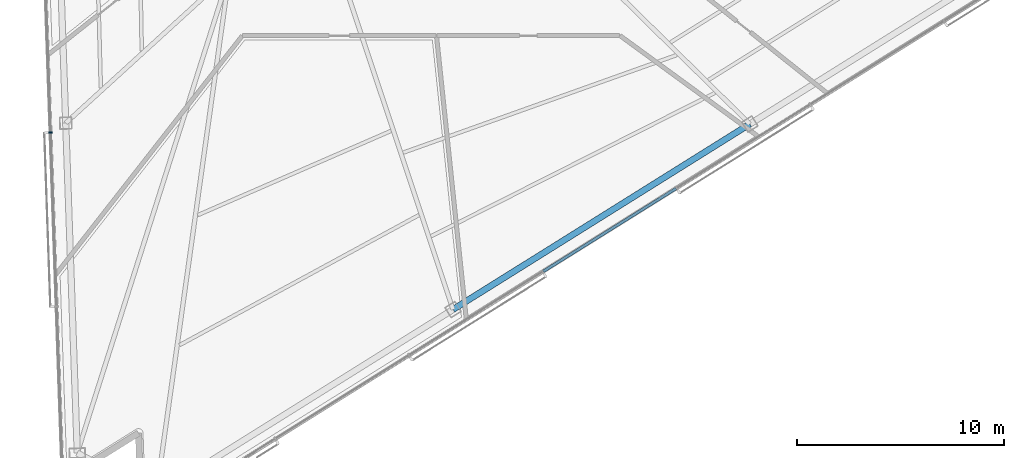
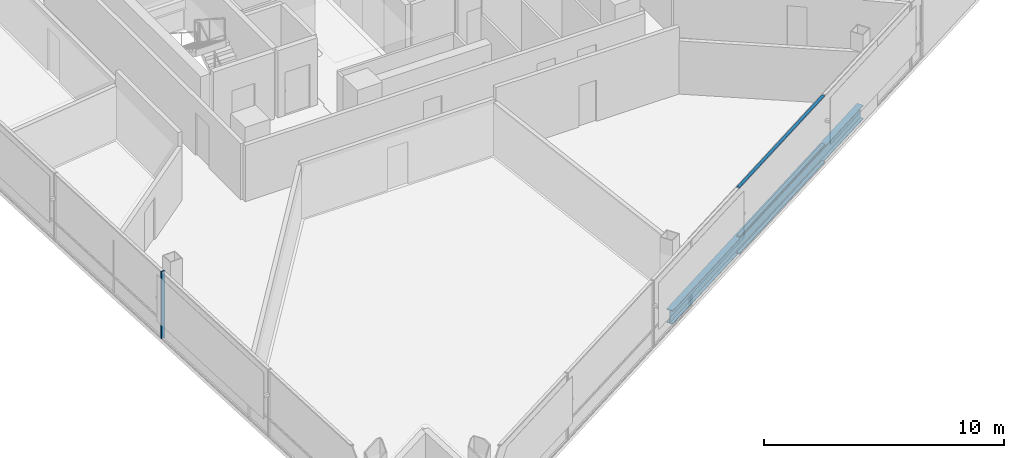
# One storey, part 3 of 20: 4 members, 1 beam, 2 elements without a shape of their own.
"""IFC4 building model written with IfcOpenShell, lengths in metres."""

import ifcopenshell
import ifcopenshell.guid

model = None  # the IFC model being written
_history = None  # IfcOwnerHistory: only IFC2X3 demands one
_inside = {}  # id of a spatial element -> (the spatial element, [elements in it])
_under = {}  # id of a project, library or spatial element -> (it, [spatial elements below it])
_declared = {}  # id of a project -> (the project, [libraries it declares])
_typed = {}  # id of a type object -> (the type object, [elements of that type])
_made_of = {}  # id of a material, layer set ... -> (it, [elements and type objects made of it])


def new_model(schema):
    """Start an empty IFC model of exactly this schema.

    Asked for "IFC4X3", IfcOpenShell would pick the latest addendum, in which some entities
    have other attributes; the version numbers below select the first issue.
    IFC2X3 requires an IfcOwnerHistory on every rooted entity: one is made here for all.
    """
    global model, _history
    if schema == "IFC4X3":
        model = ifcopenshell.file(schema_version=(4, 3, 0, 0))
    else:
        model = ifcopenshell.file(schema=schema)
    _inside.clear()
    _under.clear()
    _declared.clear()
    _typed.clear()
    _made_of.clear()
    _history = None
    if model.schema == "IFC2X3":
        org = make("IfcOrganization", Name="unknown")
        user = make(
            "IfcPersonAndOrganization",
            ThePerson=make("IfcPerson", FamilyName="unknown"),
            TheOrganization=org,
        )
        app = make(
            "IfcApplication",
            ApplicationDeveloper=org,
            Version="unknown",
            ApplicationFullName="unknown",
            ApplicationIdentifier="unknown",
        )
        _history = make(
            "IfcOwnerHistory",
            OwningUser=user,
            OwningApplication=app,
            ChangeAction="ADDED",
            CreationDate=0,
        )
    return model


def make(cls, **values):
    """One entity of the class cls with the attributes given. An attribute that is None is left unset."""
    return model.create_entity(
        cls, **{name: value for name, value in values.items() if value is not None}
    )


def rooted(cls, **values):
    """An entity with a GlobalId (a new one), such as an element, a storey or a relation."""
    return make(cls, GlobalId=ifcopenshell.guid.new(), OwnerHistory=_history, **values)


def si_unit(unit_type, name, prefix=None):
    """IfcSIUnit, for example si_unit("LENGTHUNIT", "METRE", prefix="MILLI")."""
    return make("IfcSIUnit", UnitType=unit_type, Prefix=prefix, Name=name)


def assignment(units):
    """IfcUnitAssignment: the units of a project."""
    return None if units is None else make("IfcUnitAssignment", Units=units)


def point(xyz):
    """IfcCartesianPoint."""
    return None if xyz is None else make("IfcCartesianPoint", Coordinates=xyz)


def direction(xyz):
    """IfcDirection."""
    return None if xyz is None else make("IfcDirection", DirectionRatios=xyz)


def frame(location, z_axis=None, x_axis=None):
    """IfcAxis2Placement3D, a coordinate frame: its origin and axes. An axis left out is left unset."""
    return make(
        "IfcAxis2Placement3D",
        Location=point(location),
        Axis=direction(z_axis),
        RefDirection=direction(x_axis),
    )


def frame_2d(location, x_axis=None):
    """IfcAxis2Placement2D, a coordinate frame in the plane: its origin and x axis."""
    return make(
        "IfcAxis2Placement2D", Location=point(location), RefDirection=direction(x_axis)
    )


def origin():
    """The frame at (0, 0, 0) with its axes left unset."""
    return frame((0.0, 0.0, 0.0))


def origin_2d():
    """The frame at (0, 0) in the plane with its x axis left unset."""
    return frame_2d((0.0, 0.0))


def place(relative_to, where):
    """IfcLocalPlacement: puts the frame where relative to a parent placement (None: the world)."""
    return make(
        "IfcLocalPlacement", PlacementRelTo=relative_to, RelativePlacement=where
    )


def context(
    kind, dimensions, precision=None, world=None, true_north=None, identifier=None
):
    """IfcGeometricRepresentationContext, for example the 3D "Model" context."""
    return make(
        "IfcGeometricRepresentationContext",
        ContextIdentifier=identifier,
        ContextType=kind,
        CoordinateSpaceDimension=dimensions,
        Precision=precision,
        WorldCoordinateSystem=world,
        TrueNorth=true_north,
    )


def subcontext(parent, identifier, kind, view, scale=None):
    """IfcGeometricRepresentationSubContext, for example "Body" below "Model"."""
    return make(
        "IfcGeometricRepresentationSubContext",
        ContextIdentifier=identifier,
        ContextType=kind,
        ParentContext=parent,
        TargetScale=scale,
        TargetView=view,
    )


def project(units=None, contexts=None):
    """IfcProject with its units and contexts."""
    return rooted(
        "IfcProject",
        Name="project",
        RepresentationContexts=contexts,
        UnitsInContext=assignment(units),
    )


def spatial(cls, under=None, at=None, **own):
    """A site, building, storey or space (cls), placed at a placement, below another one or the project."""
    s = rooted(cls, ObjectPlacement=at, **own)
    if under is not None:
        _under.setdefault(under.id(), (under, []))[1].append(s)
    return s


def profile(cls, at=None, kind="AREA", **sizes):
    """A parametric profile (cls). Its sizes go by their IFC names, for example OverallWidth=200.0."""
    return make(cls, ProfileType=kind, Position=at, **sizes)


def rectangle(**sizes):
    """IfcRectangleProfileDef."""
    return profile("IfcRectangleProfileDef", **sizes)


def i_section(**sizes):
    """IfcIShapeProfileDef."""
    return profile("IfcIShapeProfileDef", **sizes)


def extrude(swept, where, along, depth):
    """IfcExtrudedAreaSolid: the profile swept, set in the frame where, extruded along a direction by depth."""
    return make(
        "IfcExtrudedAreaSolid",
        SweptArea=swept,
        Position=where,
        ExtrudedDirection=direction(along),
        Depth=depth,
    )


def shape(context_of_items, identifier, shape_type, items):
    """IfcShapeRepresentation: the items that make up one representation, for example the "Body"."""
    return make(
        "IfcShapeRepresentation",
        ContextOfItems=context_of_items,
        RepresentationIdentifier=identifier,
        RepresentationType=shape_type,
        Items=items,
    )


def material(Name=None, Category=None):
    """IfcMaterial."""
    return make("IfcMaterial", Name=Name, Category=Category)


def layer(
    of_material, thickness, ventilated=None, Name=None, Category=None, Priority=None
):
    """IfcMaterialLayer: one layer of a wall or slab, of a material (None: an air gap)."""
    return make(
        "IfcMaterialLayer",
        Material=of_material,
        LayerThickness=thickness,
        IsVentilated=ventilated,
        Name=Name,
        Category=Category,
        Priority=Priority,
    )


def layer_set(layers, Name=None):
    """IfcMaterialLayerSet."""
    return make("IfcMaterialLayerSet", MaterialLayers=layers, LayerSetName=Name)


def material_profile(
    of_material, cross_section, Name=None, Category=None, Priority=None
):
    """IfcMaterialProfile: a cross section and its material."""
    return make(
        "IfcMaterialProfile",
        Name=Name,
        Material=of_material,
        Profile=cross_section,
        Priority=Priority,
        Category=Category,
    )


def profile_set(profiles, Name=None, composite=None):
    """IfcMaterialProfileSet."""
    return make(
        "IfcMaterialProfileSet",
        Name=Name,
        MaterialProfiles=profiles,
        CompositeProfile=composite,
    )


def made_of(thing, what):
    """Note that an element or type object is made of a material, layer set ...; save() writes the relation."""
    if what is not None:
        _made_of.setdefault(what.id(), (what, []))[1].append(thing)
    return thing


def type_object(cls, material=None, **own):
    """A type object (cls), such as IfcWallType, which elements share."""
    return made_of(rooted(cls, **own), material)


def element(
    cls,
    number,
    at=None,
    inside=None,
    cuts=None,
    type_object=None,
    material=None,
    context=None,
    identifier="Body",
    shape_type=None,
    held_by="IfcProductDefinitionShape",
    body=None,
    shapes=None,
    **own,
):
    """One element of the class cls, such as IfcWall. Its Tag is "e" and its number.

    at: its placement. inside: the storey or other place that contains it. cuts: it is an
    opening in that element (IfcRelVoidsElement). A single representation is given by context,
    identifier, shape_type and body (its items); several are given by shapes. held_by: the class
    of the entity that holds the representations. save() writes the other relations.
    """
    e = rooted(cls, Tag="e%d" % number, ObjectPlacement=at, **own)
    if body is not None:
        shapes = [shape(context, identifier, shape_type, body)]
    if shapes is not None:
        e.Representation = make(held_by, Representations=shapes)
    if inside is not None:
        _inside.setdefault(inside.id(), (inside, []))[1].append(e)
    if cuts is not None:
        rooted(
            "IfcRelVoidsElement", RelatingBuildingElement=cuts, RelatedOpeningElement=e
        )
    if type_object is not None:
        _typed.setdefault(type_object.id(), (type_object, []))[1].append(e)
    return made_of(e, material)


def aggregate(whole, parts):
    """IfcRelAggregates: a whole, such as a stair, and the parts it consists of."""
    return rooted("IfcRelAggregates", RelatingObject=whole, RelatedObjects=parts)


def save(model, path):
    """Write the relations noted so far, then the file.

    IfcRelAggregates (storeys below a building ...), IfcRelContainedInSpatialStructure (elements
    in a storey), IfcRelDefinesByType, IfcRelAssociatesMaterial and IfcRelDeclares: one each for
    every whole, place, type object, material and project.
    """
    for whole, parts in _under.values():
        aggregate(whole, parts)
    for where, things in _inside.values():
        rooted(
            "IfcRelContainedInSpatialStructure",
            RelatedElements=things,
            RelatingStructure=where,
        )
    for kind, things in _typed.values():
        rooted("IfcRelDefinesByType", RelatedObjects=things, RelatingType=kind)
    for what, things in _made_of.values():
        rooted("IfcRelAssociatesMaterial", RelatedObjects=things, RelatingMaterial=what)
    for by, libraries in _declared.values():
        rooted("IfcRelDeclares", RelatingContext=by, RelatedDefinitions=libraries)
    model.write(path)


model = new_model("IFC4")

# Units and contexts
model_context = context("Model", 3, precision=1e-05, world=origin(), true_north=direction((0.0, 1.0)))
body_context = subcontext(model_context, "Body", "Model", "MODEL_VIEW")
ifc_project = project(units=[si_unit("LENGTHUNIT", "METRE"), si_unit("AREAUNIT", "SQUARE_METRE"), si_unit("VOLUMEUNIT", "CUBIC_METRE"), si_unit("PLANEANGLEUNIT", "RADIAN"), si_unit("MASSUNIT", "GRAM", prefix="KILO")], contexts=[model_context])

# Site, building, storey
site_placement = place(None, origin())
site = spatial("IfcSite", under=ifc_project, at=site_placement, CompositionType="ELEMENT")
building_placement = place(site_placement, origin())
building = spatial("IfcBuilding", under=site, at=building_placement, Name="Tharavind Bronze Gate", CompositionType="ELEMENT")
storey_placement = place(building_placement, frame((0.0, 0.0, 146.0)))
storey = spatial("IfcBuildingStorey", under=building, at=storey_placement, Name="L37", CompositionType="ELEMENT", Elevation=146.0)

# Curtain wall, member
ifc_material_1 = material(Name="Anodised Bronze Aluminium", Category="aluminium")
ifc_layer = layer(ifc_material_1, 0.219970703125)
ifc_layer_set = layer_set([ifc_layer], Name="Anodised Bronze Aluminium")
curtain_wall_type = type_object("IfcCurtainWallType", Name="UNITISED CURTAIN WALL MID OFFICE", PredefinedType="USERDEFINED", material=ifc_layer_set)
curtain_wall_1_placement = place(storey_placement, origin())
curtain_wall_1 = element("IfcCurtainWall", 1, at=curtain_wall_1_placement, inside=storey, type_object=curtain_wall_type, Name="L37 unitised curtain wall mid office CW-L37-S1", ObjectType="UNITISED CURTAIN WALL", PredefinedType="USERDEFINED")
member_type_1 = type_object("IfcMemberType", Name="CURTAIN WALL BRONZE MULLION 65X180", PredefinedType="MULLION", material=ifc_material_1)
member_1_placement = place(storey_placement, frame((-17.545166015625, -15.273193359375, 0.0), z_axis=(0.0, 0.0, 1.0), x_axis=(0.034899496703, -0.999390827019, 0.0)))
member_1 = element("IfcMember", 2, at=member_1_placement, type_object=member_type_1, Name="CW-L37-S1 mullion 5", PredefinedType="MULLION", context=body_context, shape_type="SweptSolid", body=[
    extrude(rectangle(XDim=0.06494140625, YDim=0.179931640625, at=origin_2d()), origin(), (0.0, 0.0, 1.0), 3.409912109375),
])
aggregate(curtain_wall_1, [member_1])

# Curtain wall, members
curtain_wall_2_placement = place(storey_placement, origin())
curtain_wall_2 = element("IfcCurtainWall", 3, at=curtain_wall_2_placement, inside=storey, type_object=curtain_wall_type, Name="L37 unitised curtain wall mid office CW-L37-S2", ObjectType="UNITISED CURTAIN WALL", PredefinedType="USERDEFINED")
member_type_2 = type_object("IfcMemberType", Name="CURTAIN WALL BRONZE TRANSOM 65X140", PredefinedType="USERDEFINED", material=ifc_material_1)
member_2_placement = place(storey_placement, frame((9.485595703125, -19.97998046875, 0.0), z_axis=(0.0, 0.0, 1.0), x_axis=(0.848048096156, 0.529919264233, 0.0)))
member_2 = element("IfcMember", 4, at=member_2_placement, type_object=member_type_2, Name="CW-L37-S2 transom TB4", ObjectType="TRANSOM", PredefinedType="USERDEFINED", context=body_context, shape_type="SweptSolid", body=[
    extrude(rectangle(XDim=7.57080078125, YDim=0.139892578125, at=origin_2d()), origin(), (0.0, 0.0, 1.0), 0.06494140625),
])
member_3_placement = place(storey_placement, frame((9.485595703125, -19.97998046875, 0.867431640625), z_axis=(0.0, 0.0, 1.0), x_axis=(0.848048096156, 0.529919264233, 0.0)))
member_3 = element("IfcMember", 5, at=member_3_placement, type_object=member_type_2, Name="CW-L37-S2 transom TS4", ObjectType="TRANSOM", PredefinedType="USERDEFINED", context=body_context, shape_type="SweptSolid", body=[
    extrude(rectangle(XDim=7.57080078125, YDim=0.139892578125, at=origin_2d()), origin(), (0.0, 0.0, 1.0), 0.06494140625),
])
member_4_placement = place(storey_placement, frame((9.485595703125, -19.97998046875, 3.344970703125), z_axis=(0.0, 0.0, 1.0), x_axis=(0.848048096156, 0.529919264233, 0.0)))
member_4 = element("IfcMember", 6, at=member_4_placement, type_object=member_type_2, Name="CW-L37-S2 transom TT4", ObjectType="TRANSOM", PredefinedType="USERDEFINED", context=body_context, shape_type="SweptSolid", body=[
    extrude(rectangle(XDim=7.57080078125, YDim=0.139892578125, at=origin_2d()), origin(), (0.0, 0.0, 1.0), 0.06494140625),
])
aggregate(curtain_wall_2, [member_2, member_3, member_4])

# Beam
ifc_material_2 = material(Name="Steel S355", Category="steel")
ifc_material_profile = material_profile(ifc_material_2, i_section(OverallWidth=0.300048828125, OverallDepth=0.699951171875, WebThickness=0.01708984375, FlangeThickness=0.031982421875, at=origin_2d()), Name="HE700B")
ifc_profile_set = profile_set([ifc_material_profile], Name="Steel S355")
beam_type = type_object("IfcBeamType", Name="RING GIRDER HE700B", PredefinedType="USERDEFINED", material=ifc_profile_set)
beam_placement = place(storey_placement, frame((1.912353515625, -23.827880859375, -0.5400390625), z_axis=(0.848050170677, 0.529915944293, 0.0), x_axis=(-0.529915944293, 0.848050170677, 0.0)))
element("IfcBeam", 7, at=beam_placement, inside=storey, type_object=beam_type, Name="L37 ring girder he700b BM-L37-PRG06", ObjectType="GIRDER", PredefinedType="USERDEFINED", context=body_context, shape_type="SweptSolid", body=[
    extrude(i_section(OverallWidth=0.300048828125, OverallDepth=0.699951171875, WebThickness=0.01708984375, FlangeThickness=0.031982421875, at=origin_2d()), origin(), (0.0, 0.0, 1.0), 16.923095703125),
])

save(model, "model.ifc")
